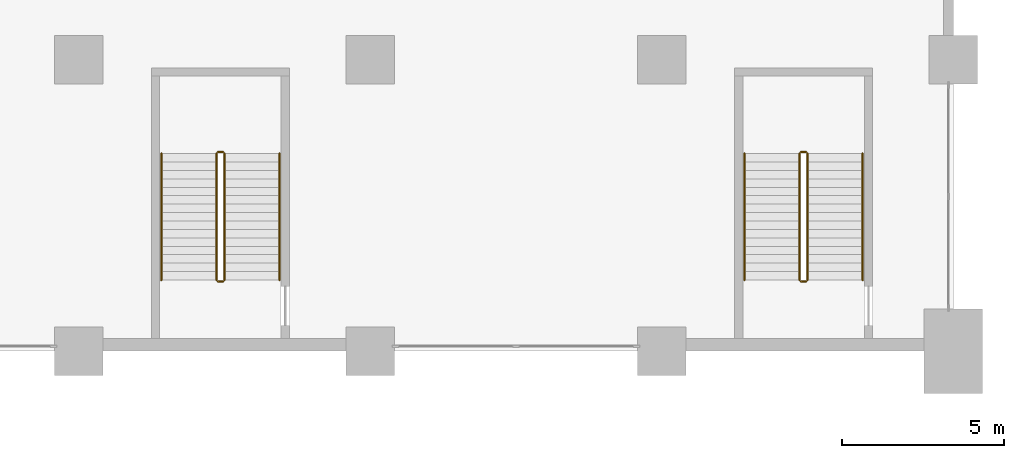
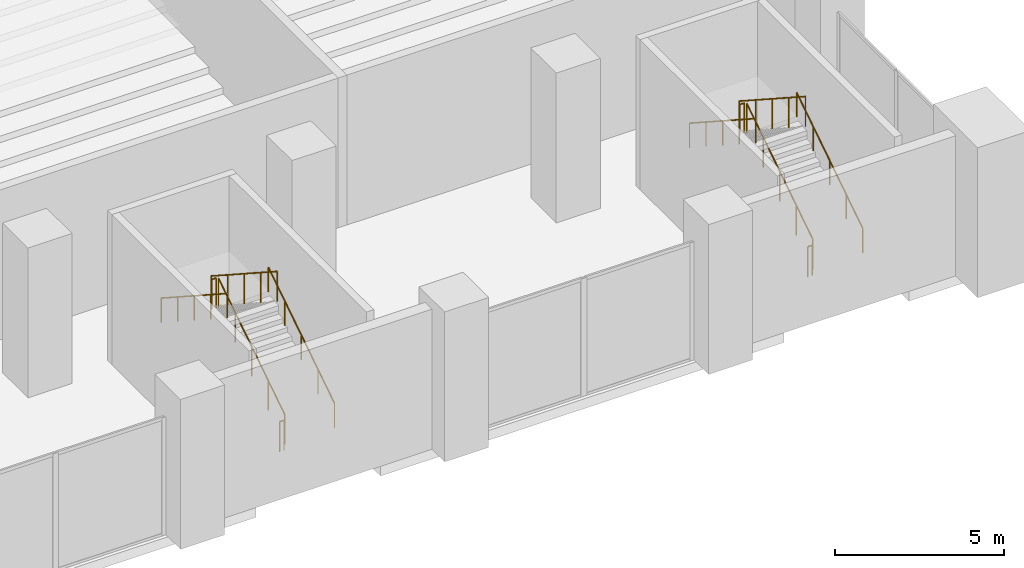
# One storey, part 35 of 44: 12 railings.
"""IFC4 building model written with IfcOpenShell, lengths in metres."""

from ifc_helpers import new_model, si_unit, direction, frame, origin, origin_2d, place, context, subcontext, project, spatial, circle, extrude, material, type_object, element, save


model = new_model("IFC4")

# Units and contexts
model_context = context("Model", 3, precision=1e-05, world=origin(), true_north=direction((0.0, 1.0)))
body_context = subcontext(model_context, "Body", "Model", "MODEL_VIEW")
ifc_project = project(units=[si_unit("LENGTHUNIT", "METRE"), si_unit("AREAUNIT", "SQUARE_METRE"), si_unit("VOLUMEUNIT", "CUBIC_METRE"), si_unit("PLANEANGLEUNIT", "RADIAN"), si_unit("MASSUNIT", "GRAM", prefix="KILO")], contexts=[model_context])

# Site, building, storey
site_placement = place(None, origin())
site = spatial("IfcSite", under=ifc_project, at=site_placement, CompositionType="ELEMENT")
building_placement = place(site_placement, origin())
building = spatial("IfcBuilding", under=site, at=building_placement, Name="Hunhe Ridgeline Campus", CompositionType="ELEMENT")
storey_placement = place(building_placement, frame((0.0, 0.0, 6.0)))
storey = spatial("IfcBuildingStorey", under=building, at=storey_placement, Name="L01", CompositionType="ELEMENT", Elevation=6.0)

# Railings
ifc_material = material(Name="Steel Q235", Category="steel")
railing_type_1 = type_object("IfcRailingType", Name="Podium stair guard 1100", PredefinedType="GUARDRAIL", material=ifc_material)
railing_1_placement = place(storey_placement, frame((67.5, 20.199951171875, 0.168701171875)))
element("IfcRailing", 1, at=railing_1_placement, inside=storey, type_object=railing_type_1, Name="L01 PS2 stair guard 1", PredefinedType="GUARDRAIL", context=body_context, shape_type="SweptSolid", body=[
    extrude(circle(Radius=0.02392578125, at=origin_2d()), frame((0.0, 0.0, 1.076171875), z_axis=(0.0, 0.838821308939, 0.544406843886), x_axis=(-1.0, 0.0, 0.0)), (0.0, 0.0, 1.0), 4.649658203125),
    extrude(circle(Radius=0.02099609375, at=origin_2d()), origin(), (0.0, 0.0, 1.0), 1.052001953125),
    extrude(circle(Radius=0.02099609375, at=origin_2d()), frame((0.0, 0.97509765625, 0.6328125)), (0.0, 0.0, 1.0), 1.052001953125),
    extrude(circle(Radius=0.02099609375, at=origin_2d()), frame((0.0, 1.9501953125, 1.265625)), (0.0, 0.0, 1.0), 1.052001953125),
    extrude(circle(Radius=0.02099609375, at=origin_2d()), frame((0.0, 2.925048828125, 1.8984375)), (0.0, 0.0, 1.0), 1.052001953125),
    extrude(circle(Radius=0.02099609375, at=origin_2d()), frame((0.0, 3.900146484375, 2.53125)), (0.0, 0.0, 1.0), 1.052001953125),
])
railing_2_placement = place(storey_placement, frame((67.449951171875, 24.14990234375, 2.699951171875)))
element("IfcRailing", 2, at=railing_2_placement, inside=storey, type_object=railing_type_1, Name="L01 PS2 stair guard 2", PredefinedType="GUARDRAIL", context=body_context, shape_type="SweptSolid", body=[
    extrude(circle(Radius=0.02392578125, at=origin_2d()), frame((0.0, 0.0, 1.076171875), z_axis=(-1.0, 0.0, 0.0), x_axis=(0.0, -1.0, 0.0)), (0.0, 0.0, 1.0), 0.14990234375),
    extrude(circle(Radius=0.02099609375, at=origin_2d()), origin(), (0.0, 0.0, 1.0), 1.052001953125),
    extrude(circle(Radius=0.02099609375, at=origin_2d()), frame((-0.14990234375, 0.0, 0.0)), (0.0, 0.0, 1.0), 1.052001953125),
])
railing_3_placement = place(storey_placement, frame((67.25, 24.10009765625, 2.86865234375)))
element("IfcRailing", 3, at=railing_3_placement, inside=storey, type_object=railing_type_1, Name="L01 PS2 stair guard 3", PredefinedType="GUARDRAIL", context=body_context, shape_type="SweptSolid", body=[
    extrude(circle(Radius=0.02392578125, at=origin_2d()), frame((0.0, 0.0, 1.076171875), z_axis=(0.0, -0.838821308939, 0.544406843886), x_axis=(1.0, 0.0, 0.0)), (0.0, 0.0, 1.0), 4.649658203125),
    extrude(circle(Radius=0.02099609375, at=origin_2d()), origin(), (0.0, 0.0, 1.0), 1.052001953125),
    extrude(circle(Radius=0.02099609375, at=origin_2d()), frame((0.0, -0.97509765625, 0.6328125)), (0.0, 0.0, 1.0), 1.052001953125),
    extrude(circle(Radius=0.02099609375, at=origin_2d()), frame((0.0, -1.9501953125, 1.265625)), (0.0, 0.0, 1.0), 1.052001953125),
    extrude(circle(Radius=0.02099609375, at=origin_2d()), frame((0.0, -2.925048828125, 1.8984375)), (0.0, 0.0, 1.0), 1.052001953125),
    extrude(circle(Radius=0.02099609375, at=origin_2d()), frame((0.0, -3.900146484375, 2.53125)), (0.0, 0.0, 1.0), 1.052001953125),
])
railing_4_placement = place(storey_placement, frame((67.449951171875, 20.14990234375, 0.0)))
element("IfcRailing", 4, at=railing_4_placement, inside=storey, type_object=railing_type_1, Name="L01 PS2 stair guard 4", PredefinedType="GUARDRAIL", context=body_context, shape_type="SweptSolid", body=[
    extrude(circle(Radius=0.02392578125, at=origin_2d()), frame((0.0, 0.0, 1.076171875), z_axis=(-1.0, 0.0, 0.0), x_axis=(0.0, -1.0, 0.0)), (0.0, 0.0, 1.0), 0.14990234375),
    extrude(circle(Radius=0.02099609375, at=origin_2d()), origin(), (0.0, 0.0, 1.0), 1.052001953125),
    extrude(circle(Radius=0.02099609375, at=origin_2d()), frame((-0.14990234375, 0.0, 0.0)), (0.0, 0.0, 1.0), 1.052001953125),
])
railing_5_placement = place(storey_placement, frame((85.5, 20.199951171875, 0.168701171875)))
element("IfcRailing", 5, at=railing_5_placement, inside=storey, type_object=railing_type_1, Name="L01 PS3 stair guard 1", PredefinedType="GUARDRAIL", context=body_context, shape_type="SweptSolid", body=[
    extrude(circle(Radius=0.02392578125, at=origin_2d()), frame((0.0, 0.0, 1.076171875), z_axis=(0.0, 0.838821308939, 0.544406843886), x_axis=(-1.0, 0.0, 0.0)), (0.0, 0.0, 1.0), 4.649658203125),
    extrude(circle(Radius=0.02099609375, at=origin_2d()), origin(), (0.0, 0.0, 1.0), 1.052001953125),
    extrude(circle(Radius=0.02099609375, at=origin_2d()), frame((0.0, 0.97509765625, 0.6328125)), (0.0, 0.0, 1.0), 1.052001953125),
    extrude(circle(Radius=0.02099609375, at=origin_2d()), frame((0.0, 1.9501953125, 1.265625)), (0.0, 0.0, 1.0), 1.052001953125),
    extrude(circle(Radius=0.02099609375, at=origin_2d()), frame((0.0, 2.925048828125, 1.8984375)), (0.0, 0.0, 1.0), 1.052001953125),
    extrude(circle(Radius=0.02099609375, at=origin_2d()), frame((0.0, 3.900146484375, 2.53125)), (0.0, 0.0, 1.0), 1.052001953125),
])
railing_6_placement = place(storey_placement, frame((85.449951171875, 24.14990234375, 2.699951171875)))
element("IfcRailing", 6, at=railing_6_placement, inside=storey, type_object=railing_type_1, Name="L01 PS3 stair guard 2", PredefinedType="GUARDRAIL", context=body_context, shape_type="SweptSolid", body=[
    extrude(circle(Radius=0.02392578125, at=origin_2d()), frame((0.0, 0.0, 1.076171875), z_axis=(-1.0, 0.0, 0.0), x_axis=(0.0, -1.0, 0.0)), (0.0, 0.0, 1.0), 0.14990234375),
    extrude(circle(Radius=0.02099609375, at=origin_2d()), origin(), (0.0, 0.0, 1.0), 1.052001953125),
    extrude(circle(Radius=0.02099609375, at=origin_2d()), frame((-0.14990234375, 0.0, 0.0)), (0.0, 0.0, 1.0), 1.052001953125),
])
railing_7_placement = place(storey_placement, frame((85.25, 24.10009765625, 2.86865234375)))
element("IfcRailing", 7, at=railing_7_placement, inside=storey, type_object=railing_type_1, Name="L01 PS3 stair guard 3", PredefinedType="GUARDRAIL", context=body_context, shape_type="SweptSolid", body=[
    extrude(circle(Radius=0.02392578125, at=origin_2d()), frame((0.0, 0.0, 1.076171875), z_axis=(0.0, -0.838821308939, 0.544406843886), x_axis=(1.0, 0.0, 0.0)), (0.0, 0.0, 1.0), 4.649658203125),
    extrude(circle(Radius=0.02099609375, at=origin_2d()), origin(), (0.0, 0.0, 1.0), 1.052001953125),
    extrude(circle(Radius=0.02099609375, at=origin_2d()), frame((0.0, -0.97509765625, 0.6328125)), (0.0, 0.0, 1.0), 1.052001953125),
    extrude(circle(Radius=0.02099609375, at=origin_2d()), frame((0.0, -1.9501953125, 1.265625)), (0.0, 0.0, 1.0), 1.052001953125),
    extrude(circle(Radius=0.02099609375, at=origin_2d()), frame((0.0, -2.925048828125, 1.8984375)), (0.0, 0.0, 1.0), 1.052001953125),
    extrude(circle(Radius=0.02099609375, at=origin_2d()), frame((0.0, -3.900146484375, 2.53125)), (0.0, 0.0, 1.0), 1.052001953125),
])
railing_8_placement = place(storey_placement, frame((85.449951171875, 20.14990234375, 0.0)))
element("IfcRailing", 8, at=railing_8_placement, inside=storey, type_object=railing_type_1, Name="L01 PS3 stair guard 4", PredefinedType="GUARDRAIL", context=body_context, shape_type="SweptSolid", body=[
    extrude(circle(Radius=0.02392578125, at=origin_2d()), frame((0.0, 0.0, 1.076171875), z_axis=(-1.0, 0.0, 0.0), x_axis=(0.0, -1.0, 0.0)), (0.0, 0.0, 1.0), 0.14990234375),
    extrude(circle(Radius=0.02099609375, at=origin_2d()), origin(), (0.0, 0.0, 1.0), 1.052001953125),
    extrude(circle(Radius=0.02099609375, at=origin_2d()), frame((-0.14990234375, 0.0, 0.0)), (0.0, 0.0, 1.0), 1.052001953125),
])
railing_type_2 = type_object("IfcRailingType", Name="Podium stair handrail", PredefinedType="HANDRAIL", material=ifc_material)
railing_9_placement = place(storey_placement, frame((69.199951171875, 20.199951171875, 0.168701171875)))
element("IfcRailing", 9, at=railing_9_placement, inside=storey, type_object=railing_type_2, Name="L01 PS2 stair handrail 1", PredefinedType="HANDRAIL", context=body_context, shape_type="SweptSolid", body=[
    extrude(circle(Radius=0.02392578125, at=origin_2d()), frame((0.0, 0.0, 0.8759765625), z_axis=(0.0, 0.838821308939, 0.544406843886), x_axis=(-1.0, 0.0, 0.0)), (0.0, 0.0, 1.0), 4.649658203125),
    extrude(circle(Radius=0.02099609375, at=origin_2d()), origin(), (0.0, 0.0, 1.0), 0.851806640625),
    extrude(circle(Radius=0.02099609375, at=origin_2d()), frame((0.0, 0.97509765625, 0.6328125)), (0.0, 0.0, 1.0), 0.851806640625),
    extrude(circle(Radius=0.02099609375, at=origin_2d()), frame((0.0, 1.9501953125, 1.265625)), (0.0, 0.0, 1.0), 0.851806640625),
    extrude(circle(Radius=0.02099609375, at=origin_2d()), frame((0.0, 2.925048828125, 1.8984375)), (0.0, 0.0, 1.0), 0.851806640625),
    extrude(circle(Radius=0.02099609375, at=origin_2d()), frame((0.0, 3.900146484375, 2.53125)), (0.0, 0.0, 1.0), 0.851806640625),
])
railing_10_placement = place(storey_placement, frame((65.550048828125, 24.10009765625, 2.86865234375)))
element("IfcRailing", 10, at=railing_10_placement, inside=storey, type_object=railing_type_2, Name="L01 PS2 stair handrail 2", PredefinedType="HANDRAIL", context=body_context, shape_type="SweptSolid", body=[
    extrude(circle(Radius=0.02392578125, at=origin_2d()), frame((0.0, 0.0, 0.8759765625), z_axis=(0.0, -0.838821308939, 0.544406843886), x_axis=(1.0, 0.0, 0.0)), (0.0, 0.0, 1.0), 4.649658203125),
    extrude(circle(Radius=0.02099609375, at=origin_2d()), origin(), (0.0, 0.0, 1.0), 0.851806640625),
    extrude(circle(Radius=0.02099609375, at=origin_2d()), frame((0.0, -0.97509765625, 0.6328125)), (0.0, 0.0, 1.0), 0.851806640625),
    extrude(circle(Radius=0.02099609375, at=origin_2d()), frame((0.0, -1.9501953125, 1.265625)), (0.0, 0.0, 1.0), 0.851806640625),
    extrude(circle(Radius=0.02099609375, at=origin_2d()), frame((0.0, -2.925048828125, 1.8984375)), (0.0, 0.0, 1.0), 0.851806640625),
    extrude(circle(Radius=0.02099609375, at=origin_2d()), frame((0.0, -3.900146484375, 2.53125)), (0.0, 0.0, 1.0), 0.851806640625),
])
railing_11_placement = place(storey_placement, frame((87.199951171875, 20.199951171875, 0.168701171875)))
element("IfcRailing", 11, at=railing_11_placement, inside=storey, type_object=railing_type_2, Name="L01 PS3 stair handrail 1", PredefinedType="HANDRAIL", context=body_context, shape_type="SweptSolid", body=[
    extrude(circle(Radius=0.02392578125, at=origin_2d()), frame((0.0, 0.0, 0.8759765625), z_axis=(0.0, 0.838821308939, 0.544406843886), x_axis=(-1.0, 0.0, 0.0)), (0.0, 0.0, 1.0), 4.649658203125),
    extrude(circle(Radius=0.02099609375, at=origin_2d()), origin(), (0.0, 0.0, 1.0), 0.851806640625),
    extrude(circle(Radius=0.02099609375, at=origin_2d()), frame((0.0, 0.97509765625, 0.6328125)), (0.0, 0.0, 1.0), 0.851806640625),
    extrude(circle(Radius=0.02099609375, at=origin_2d()), frame((0.0, 1.9501953125, 1.265625)), (0.0, 0.0, 1.0), 0.851806640625),
    extrude(circle(Radius=0.02099609375, at=origin_2d()), frame((0.0, 2.925048828125, 1.8984375)), (0.0, 0.0, 1.0), 0.851806640625),
    extrude(circle(Radius=0.02099609375, at=origin_2d()), frame((0.0, 3.900146484375, 2.53125)), (0.0, 0.0, 1.0), 0.851806640625),
])
railing_12_placement = place(storey_placement, frame((83.550048828125, 24.10009765625, 2.86865234375)))
element("IfcRailing", 12, at=railing_12_placement, inside=storey, type_object=railing_type_2, Name="L01 PS3 stair handrail 2", PredefinedType="HANDRAIL", context=body_context, shape_type="SweptSolid", body=[
    extrude(circle(Radius=0.02392578125, at=origin_2d()), frame((0.0, 0.0, 0.8759765625), z_axis=(0.0, -0.838821308939, 0.544406843886), x_axis=(1.0, 0.0, 0.0)), (0.0, 0.0, 1.0), 4.649658203125),
    extrude(circle(Radius=0.02099609375, at=origin_2d()), origin(), (0.0, 0.0, 1.0), 0.851806640625),
    extrude(circle(Radius=0.02099609375, at=origin_2d()), frame((0.0, -0.97509765625, 0.6328125)), (0.0, 0.0, 1.0), 0.851806640625),
    extrude(circle(Radius=0.02099609375, at=origin_2d()), frame((0.0, -1.9501953125, 1.265625)), (0.0, 0.0, 1.0), 0.851806640625),
    extrude(circle(Radius=0.02099609375, at=origin_2d()), frame((0.0, -2.925048828125, 1.8984375)), (0.0, 0.0, 1.0), 0.851806640625),
    extrude(circle(Radius=0.02099609375, at=origin_2d()), frame((0.0, -3.900146484375, 2.53125)), (0.0, 0.0, 1.0), 0.851806640625),
])

save(model, "model.ifc")
